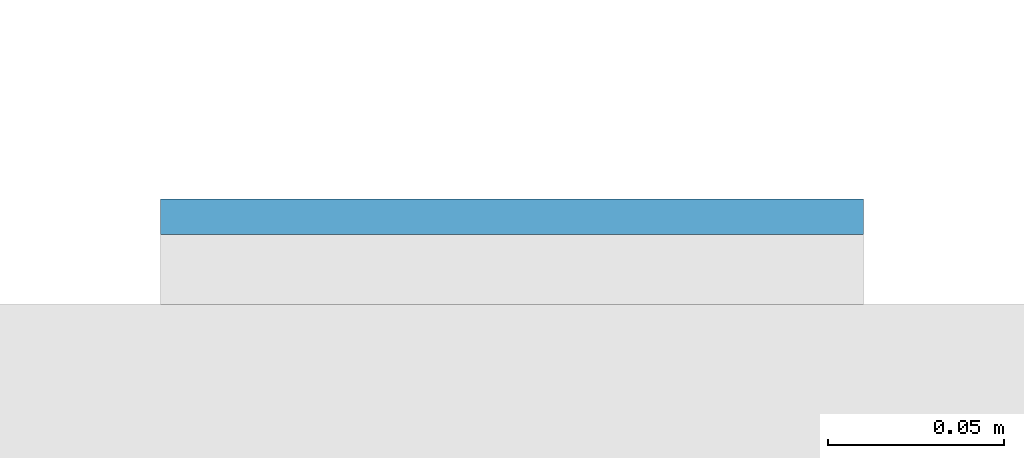
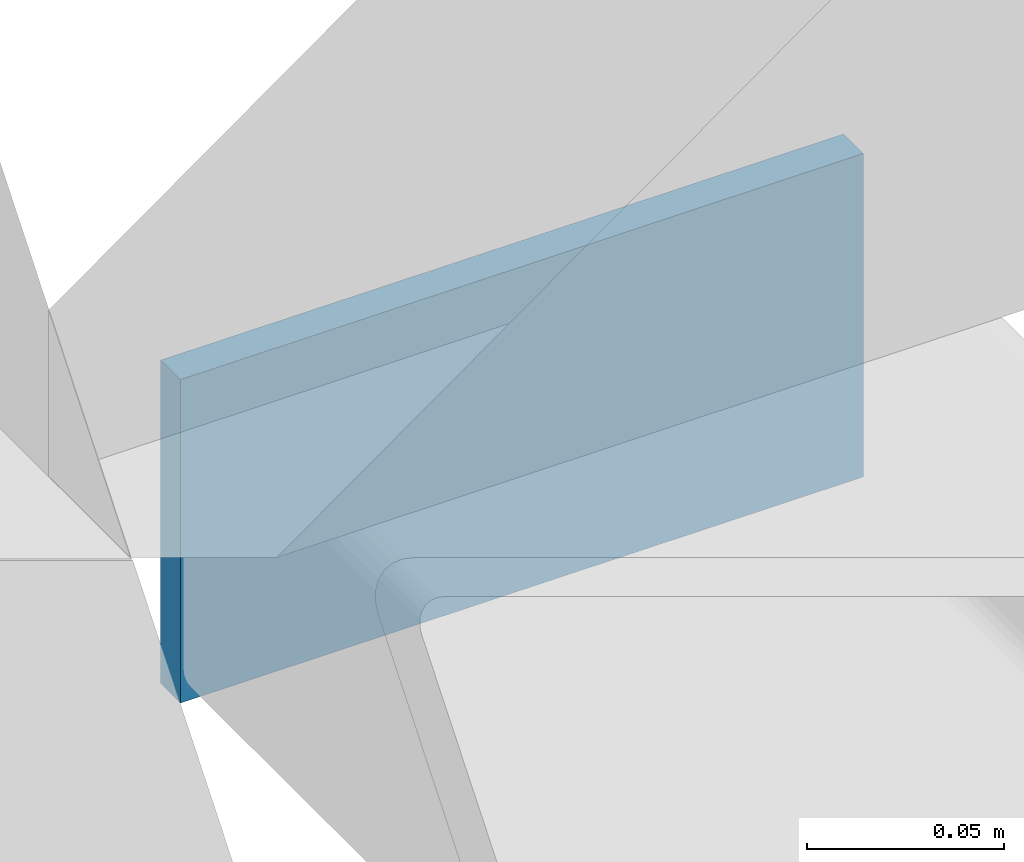
# One storey, part 11 of 20: 1 plate.
"""IFC4 building model written with IfcOpenShell, lengths in metres."""

from ifc_helpers import new_model, si_unit, direction, frame, origin, origin_2d, place, context, subcontext, project, spatial, rectangle, extrude, material, layer, layer_set, type_object, element, save


model = new_model("IFC4")

# Units and contexts
model_context = context("Model", 3, precision=1e-05, world=origin(), true_north=direction((0.0, 1.0)))
body_context = subcontext(model_context, "Body", "Model", "MODEL_VIEW")
ifc_project = project(units=[si_unit("LENGTHUNIT", "METRE"), si_unit("AREAUNIT", "SQUARE_METRE"), si_unit("VOLUMEUNIT", "CUBIC_METRE"), si_unit("PLANEANGLEUNIT", "RADIAN"), si_unit("MASSUNIT", "GRAM", prefix="KILO")], contexts=[model_context])

# Site, building, storey
site_placement = place(None, origin())
site = spatial("IfcSite", under=ifc_project, at=site_placement, CompositionType="ELEMENT")
building_placement = place(site_placement, origin())
building = spatial("IfcBuilding", under=site, at=building_placement, Name="Cleftline Residences", CompositionType="ELEMENT")
storey_placement = place(building_placement, frame((0.0, 0.0, 103.39990234375)))
storey = spatial("IfcBuildingStorey", under=building, at=storey_placement, Name="L26", CompositionType="ELEMENT", Elevation=103.39990234375)

# Plate
ifc_material = material(Name="Steel S355, hot-dip galvanised", Category="steel")
ifc_layer = layer(ifc_material, 0.010009765625)
ifc_layer_set = layer_set([ifc_layer], Name="BAGUETTE CARRIER END PLATE 200X100X10")
plate_type = type_object("IfcPlateType", Name="BAGUETTE CARRIER END PLATE 200X100X10", PredefinedType="USERDEFINED", material=ifc_layer_set)
plate_placement = place(storey_placement, frame((66.85009765625, 44.304931640625, -0.099853515625), z_axis=(0.0, 0.0, 1.0), x_axis=(1.0, 0.0, 0.0)))
element("IfcPlate", 1, at=plate_placement, inside=storey, type_object=plate_type, Name="Baguette carrier end plate", ObjectType="BAGUETTE CARRIER END PLATE", PredefinedType="USERDEFINED", context=body_context, shape_type="SweptSolid", body=[
    extrude(rectangle(XDim=0.199951171875, YDim=0.010009765625, at=origin_2d()), origin(), (0.0, 0.0, 1.0), 0.10009765625),
])

save(model, "model.ifc")
